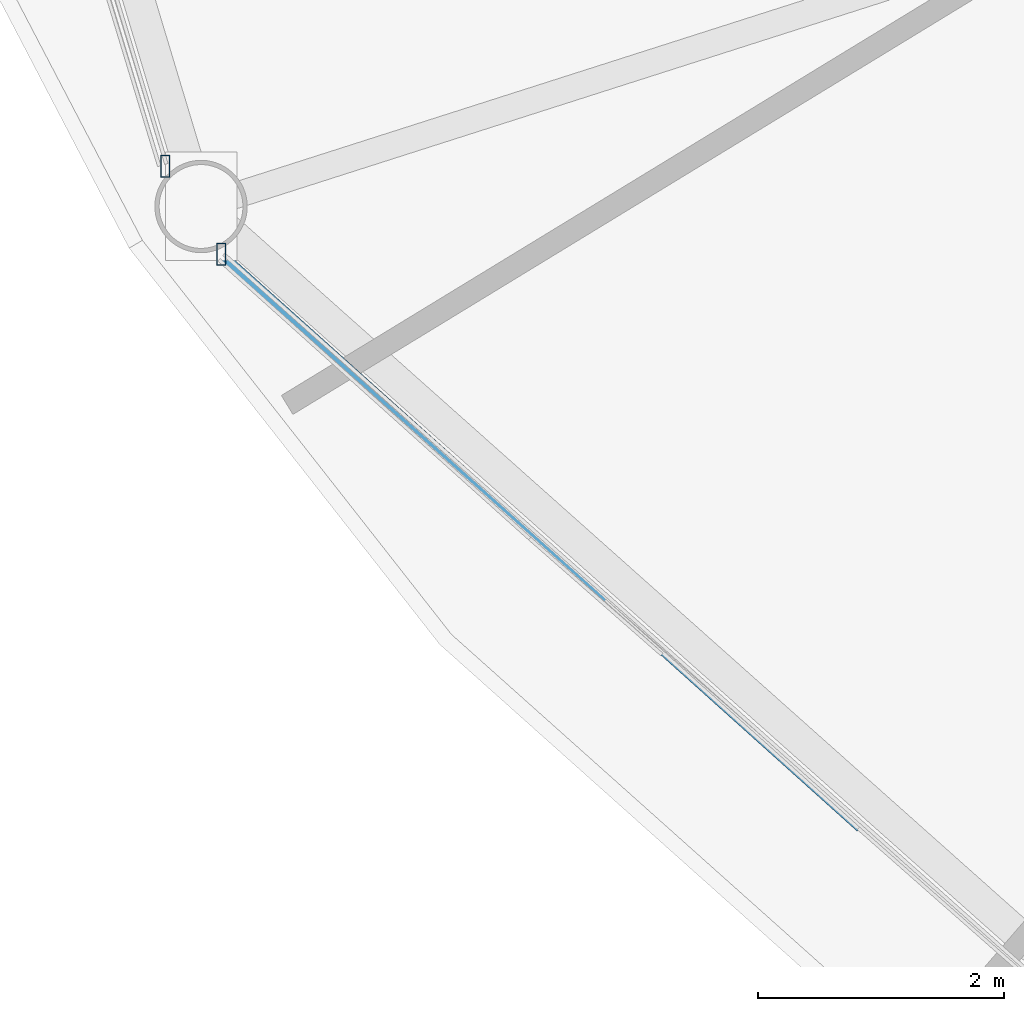
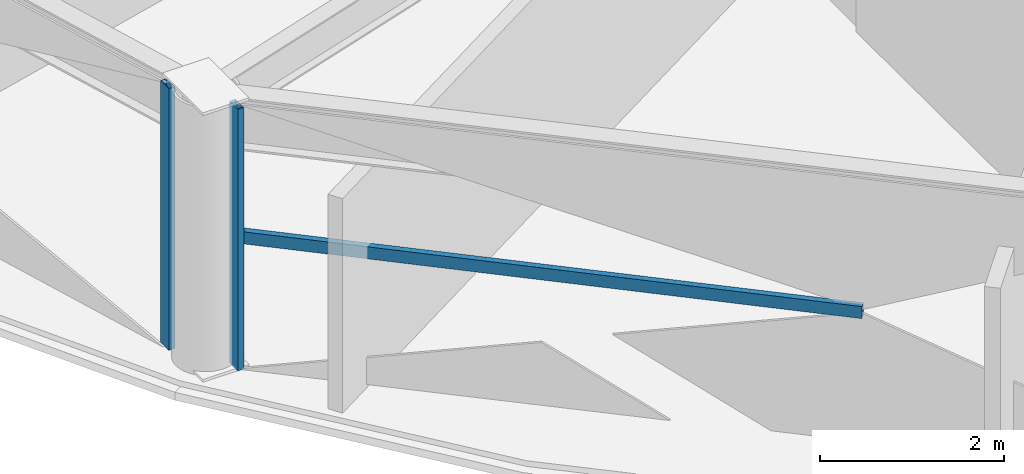
# One storey, part 3 of 29: 3 members, 2 elements without a shape of their own.
"""IFC4 building model written with IfcOpenShell, lengths in metres."""

from ifc_helpers import new_model, si_unit, direction, frame, origin, origin_2d, place, context, subcontext, project, spatial, hollow_rectangle, extrude, material, layer, layer_set, material_profile, profile_set, type_object, element, aggregate, save


model = new_model("IFC4")

# Units and contexts
model_context = context("Model", 3, precision=1e-05, world=origin(), true_north=direction((0.0, 1.0)))
body_context = subcontext(model_context, "Body", "Model", "MODEL_VIEW")
ifc_project = project(units=[si_unit("LENGTHUNIT", "METRE"), si_unit("AREAUNIT", "SQUARE_METRE"), si_unit("VOLUMEUNIT", "CUBIC_METRE"), si_unit("PLANEANGLEUNIT", "RADIAN"), si_unit("MASSUNIT", "GRAM", prefix="KILO")], contexts=[model_context])

# Site, building, storey
site_placement = place(None, origin())
site = spatial("IfcSite", under=ifc_project, at=site_placement, CompositionType="ELEMENT")
building_placement = place(site_placement, origin())
building = spatial("IfcBuilding", under=site, at=building_placement, Name="Vantalir Tower", CompositionType="ELEMENT")
storey_placement = place(building_placement, frame((0.0, 0.0, 168.449951171875)))
storey = spatial("IfcBuildingStorey", under=building, at=storey_placement, Name="L42", CompositionType="ELEMENT", Elevation=168.449951171875)

# Curtain wall, member
ifc_material_1 = material(Name="Champagne-silver PVDF aluminium and double-silver Low-E glass", Category="aluminium")
ifc_layer = layer(ifc_material_1, 0.199951171875)
ifc_layer_set = layer_set([ifc_layer], Name="Champagne-silver PVDF aluminium and double-silver Low-E glass")
curtain_wall_type = type_object("IfcCurtainWallType", Name="CW-DIAMOND-Z2", PredefinedType="USERDEFINED", material=ifc_layer_set)
curtain_wall_1_placement = place(storey_placement, origin())
curtain_wall_1 = element("IfcCurtainWall", 1, at=curtain_wall_1_placement, inside=storey, type_object=curtain_wall_type, Name="L42 Quilted Pyramid-Diamond Curtain Wall S07", ObjectType="UNITISED CURTAIN WALL", PredefinedType="USERDEFINED")
ifc_material_2 = material(Name="Champagne-silver PVDF aluminium 6063-T6", Category="aluminium")
ifc_material_profile_1 = material_profile(ifc_material_2, hollow_rectangle(XDim=0.074951171875, YDim=0.179931640625, WallThickness=0.00390625, at=origin_2d()), Name="Champagne-silver PVDF aluminium 6063-T6")
ifc_profile_set_1 = profile_set([ifc_material_profile_1], Name="Champagne-silver PVDF aluminium 6063-T6")
member_type_1 = type_object("IfcMemberType", Name="CWM-180x75", PredefinedType="MULLION", material=ifc_profile_set_1)
member_1_placement = place(storey_placement, frame((9.9599609375, 14.402099609375, 0.045166015625), z_axis=(0.0, 0.0, 1.0), x_axis=(1.0, 0.0, 0.0)))
member_1 = element("IfcMember", 2, at=member_1_placement, type_object=member_type_1, Name="CW-L42-S07 Mullion 2", PredefinedType="MULLION", context=body_context, shape_type="SweptSolid", body=[
    extrude(hollow_rectangle(XDim=0.074951171875, YDim=0.179931640625, WallThickness=0.00390625, at=origin_2d()), origin(), (0.0, 0.0, 1.0), 3.47998046875),
])
aggregate(curtain_wall_1, [member_1])

# Curtain wall, members
curtain_wall_2_placement = place(storey_placement, origin())
curtain_wall_2 = element("IfcCurtainWall", 3, at=curtain_wall_2_placement, inside=storey, type_object=curtain_wall_type, Name="L42 Quilted Pyramid-Diamond Curtain Wall S08", ObjectType="UNITISED CURTAIN WALL", PredefinedType="USERDEFINED")
member_2_placement = place(storey_placement, frame((10.4150390625, 13.68798828125, 0.045166015625), z_axis=(0.0, 0.0, 1.0), x_axis=(1.0, 0.0, 0.0)))
member_2 = element("IfcMember", 4, at=member_2_placement, type_object=member_type_1, Name="CW-L42-S08 Mullion 1", PredefinedType="MULLION", context=body_context, shape_type="SweptSolid", body=[
    extrude(hollow_rectangle(XDim=0.074951171875, YDim=0.179931640625, WallThickness=0.00390625, at=origin_2d()), origin(), (0.0, 0.0, 1.0), 3.47998046875),
])
ifc_material_profile_2 = material_profile(ifc_material_2, hollow_rectangle(XDim=0.074951171875, YDim=0.159912109375, WallThickness=0.00390625, at=origin_2d()), Name="Champagne-silver PVDF aluminium 6063-T6")
ifc_profile_set_2 = profile_set([ifc_material_profile_2], Name="Champagne-silver PVDF aluminium 6063-T6")
member_type_2 = type_object("IfcMemberType", Name="CWT-160x75", PredefinedType="USERDEFINED", material=ifc_profile_set_2)
member_3_placement = place(storey_placement, frame((10.4150390625, 13.68798828125, 1.78515625), z_axis=(0.744240944247, -0.667911234301, 0.0), x_axis=(0.667911234301, 0.744240944247, 0.0)))
member_3 = element("IfcMember", 5, at=member_3_placement, type_object=member_type_2, Name="CW-L42-S08 Pyramid Fold Ridge Transom", ObjectType="TRANSOM", PredefinedType="USERDEFINED", context=body_context, shape_type="SweptSolid", body=[
    extrude(hollow_rectangle(XDim=0.074951171875, YDim=0.159912109375, WallThickness=0.00390625, at=origin_2d()), origin(), (0.0, 0.0, 1.0), 6.969482421875),
])
aggregate(curtain_wall_2, [member_2, member_3])

save(model, "model.ifc")
